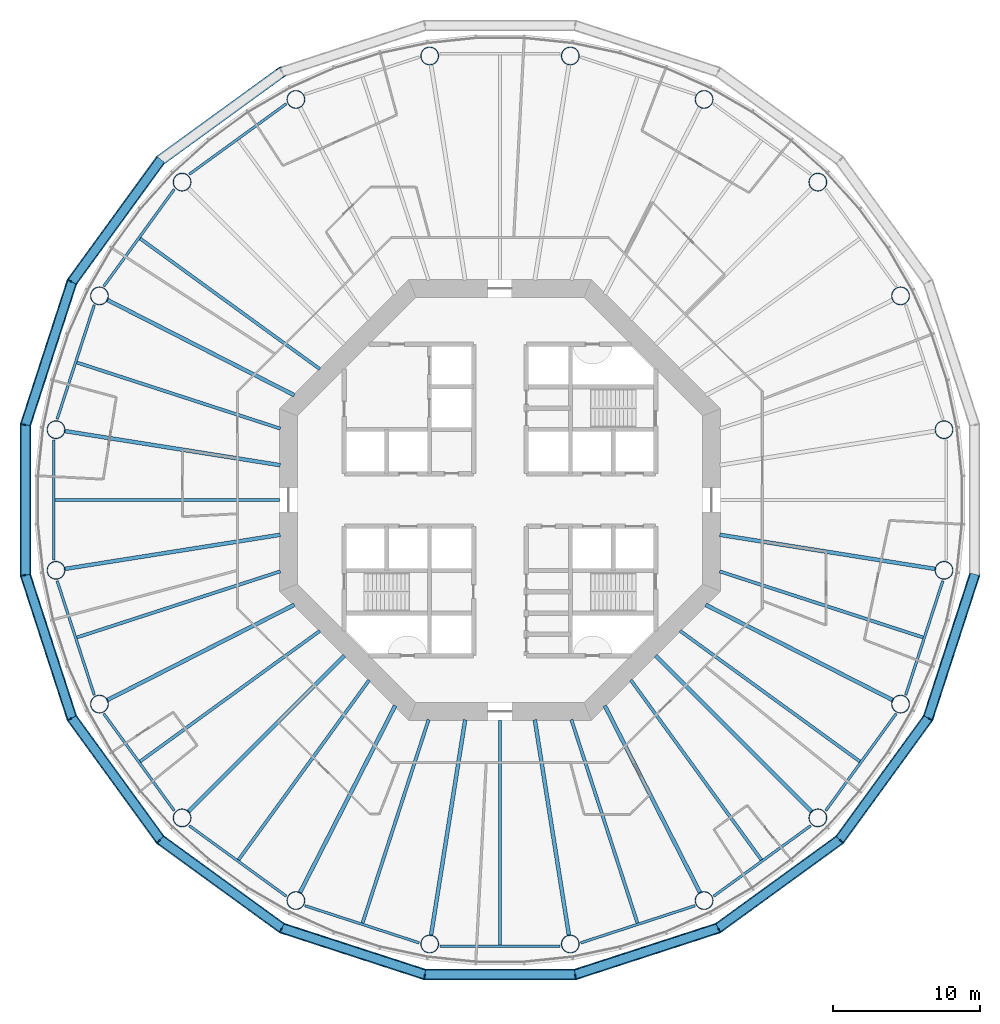
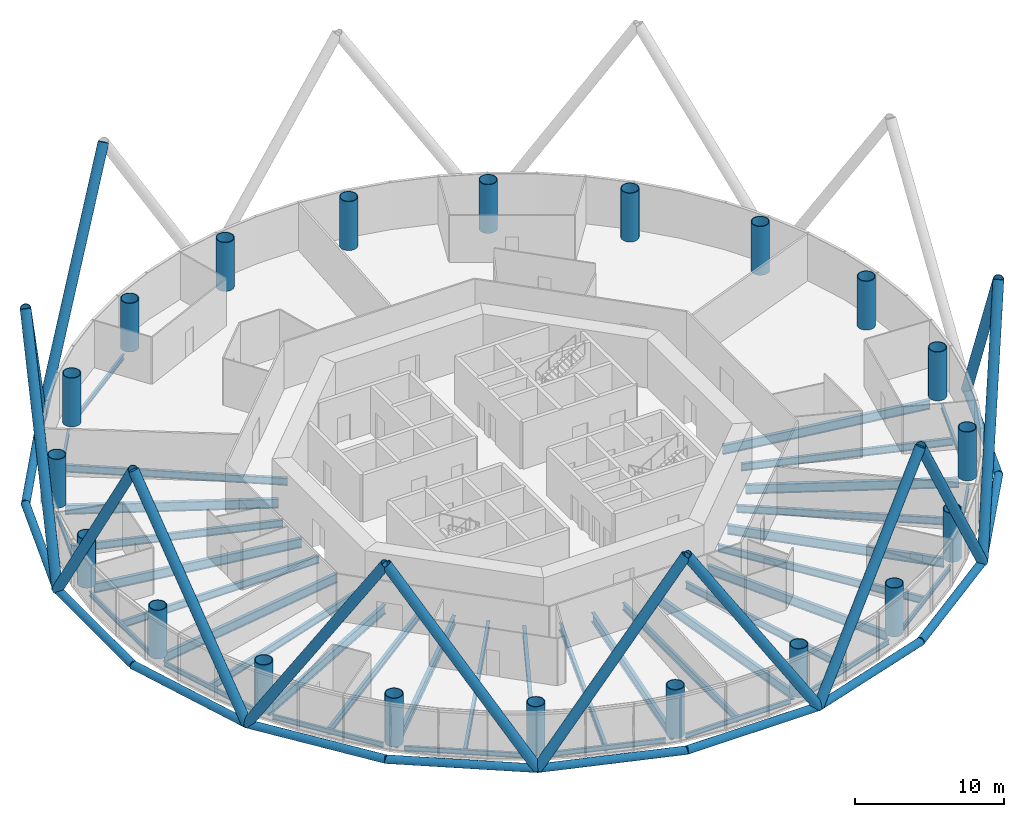
# One storey, part 1 of 14: 37 beams, 25 members, 20 columns.
"""IFC4 building model written with IfcOpenShell, lengths in metres."""

from ifc_helpers import new_model, si_unit, direction, frame, origin, origin_2d, place, context, subcontext, project, spatial, circle, hollow_circle, i_section, extrude, material, material_profile, profile_set, type_object, element, save


model = new_model("IFC4")

# Units and contexts
model_context = context("Model", 3, precision=1e-05, world=origin(), true_north=direction((0.0, 1.0)))
body_context = subcontext(model_context, "Body", "Model", "MODEL_VIEW")
ifc_project = project(units=[si_unit("LENGTHUNIT", "METRE"), si_unit("AREAUNIT", "SQUARE_METRE"), si_unit("VOLUMEUNIT", "CUBIC_METRE"), si_unit("PLANEANGLEUNIT", "RADIAN"), si_unit("MASSUNIT", "GRAM", prefix="KILO")], contexts=[model_context])

# Site, building, storey
site_placement = place(None, origin())
site = spatial("IfcSite", under=ifc_project, at=site_placement, CompositionType="ELEMENT")
building_placement = place(site_placement, origin())
building = spatial("IfcBuilding", under=site, at=building_placement, Name="Entoto Ring Tower", CompositionType="ELEMENT")
storey_placement = place(building_placement, frame((0.0, 0.0, 80.0)))
storey = spatial("IfcBuildingStorey", under=building, at=storey_placement, Name="L17", CompositionType="ELEMENT", Elevation=80.0)

# Columns
ifc_material_1 = material(Name="Steel S355", Category="steel")
ifc_material_profile_1 = material_profile(ifc_material_1, hollow_circle(Radius=0.625, WallThickness=0.054931640625, at=origin_2d()), Name="CHS 1250 x 55")
ifc_material_2 = material(Name="Concrete C60/75", Category="concrete")
ifc_material_profile_2 = material_profile(ifc_material_2, circle(Radius=0.570068359375, at=origin_2d()), Name="Concrete C60/75 infill")
ifc_profile_set_1 = profile_set([ifc_material_profile_1, ifc_material_profile_2], Name="Steel S355")
column_type = type_object("IfcColumnType", Name="Ring column 1250 x 55 concrete-filled tube", PredefinedType="COLUMN", material=ifc_profile_set_1)
for number, where, z_axis, x_axis, name in (
    (1, (120.22314453125, 84.786865234375, 0.0), (0.0, 0.0, 1.0), (1.0, 0.0, 0.0), "RC2 R01"),
    (2, (117.264892578125, 93.89208984375, 0.0), (0.0, 0.0, 1.0), (1.0, 0.0, 0.0), "RC2 R02"),
    (3, (111.637451171875, 101.637451171875, 0.0), (0.0, 0.0, 1.0), (1.0, 0.0, 0.0), "RC2 R03"),
    (4, (103.89208984375, 107.264892578125, 0.0), (0.0, 0.0, 1.0), (1.0, 0.0, 0.0), "RC2 R04"),
    (5, (94.786865234375, 110.22314453125, 0.0), (0.0, 0.0, 1.0), (1.0, 0.0, 0.0), "RC2 R05"),
    (6, (85.213134765625, 110.22314453125, 0.0), (0.0, 0.0, 1.0), (1.0, 0.0, 0.0), "RC2 R06"),
    (7, (76.10791015625, 107.264892578125, 0.0), (0.0, 0.0, 1.0), (1.0, 0.0, 0.0), "RC2 R07"),
    (8, (68.362548828125, 101.637451171875, 0.0), (0.0, 0.0, 1.0), (1.0, 0.0, 0.0), "RC2 R08"),
    (9, (62.735107421875, 93.89208984375, 0.0), (0.0, 0.0, 1.0), (1.0, 0.0, 0.0), "RC2 R09"),
    (10, (59.77685546875, 84.786865234375, 0.0), (0.0, 0.0, 1.0), (1.0, 0.0, 0.0), "RC2 R10"),
    (11, (59.77685546875, 75.213134765625, 0.0), (0.0, 0.0, 1.0), (1.0, 0.0, 0.0), "RC2 R11"),
    (12, (62.735107421875, 66.10791015625, 0.0), (0.0, 0.0, 1.0), (1.0, 0.0, 0.0), "RC2 R12"),
    (13, (68.362548828125, 58.362548828125, 0.0), (0.0, 0.0, 1.0), (1.0, 0.0, 0.0), "RC2 R13"),
    (14, (76.10791015625, 52.735107421875, 0.0), (0.0, 0.0, 1.0), (1.0, 0.0, 0.0), "RC2 R14"),
    (15, (85.213134765625, 49.77685546875, 0.0), (0.0, 0.0, 1.0), (1.0, 0.0, 0.0), "RC2 R15"),
    (16, (94.786865234375, 49.77685546875, 0.0), (0.0, 0.0, 1.0), (1.0, 0.0, 0.0), "RC2 R16"),
    (17, (103.89208984375, 52.735107421875, 0.0), (0.0, 0.0, 1.0), (1.0, 0.0, 0.0), "RC2 R17"),
    (18, (111.637451171875, 58.362548828125, 0.0), (0.0, 0.0, 1.0), (1.0, 0.0, 0.0), "RC2 R18"),
    (19, (117.264892578125, 66.10791015625, 0.0), (0.0, 0.0, 1.0), (1.0, 0.0, 0.0), "RC2 R19"),
    (20, (120.22314453125, 75.213134765625, 0.0), (0.0, 0.0, 1.0), (1.0, 0.0, 0.0), "RC2 R20"),
):
    element("IfcColumn", number, at=place(storey_placement, frame(where, z_axis=z_axis, x_axis=x_axis)), inside=storey, type_object=column_type, Name=name, PredefinedType="COLUMN", context=body_context, shape_type="SweptSolid", body=[
        extrude(hollow_circle(Radius=0.625, WallThickness=0.054931640625, at=origin_2d()), origin(), (0.0, 0.0, 1.0), 4.0),
    ])

# Members
ifc_material_3 = material(Name="Steel S355", Category="steel")
ifc_material_profile_3 = material_profile(ifc_material_3, hollow_circle(Radius=0.375, WallThickness=0.0380859375, at=origin_2d()), Name="CHS 750 x 38")
ifc_material_4 = material(Name="Concrete C60/75", Category="concrete")
ifc_material_profile_4 = material_profile(ifc_material_4, circle(Radius=0.3369140625, at=origin_2d()), Name="Concrete C60/75 infill")
ifc_profile_set_2 = profile_set([ifc_material_profile_3, ifc_material_profile_4], Name="Steel S355")
member_type_1 = type_object("IfcMemberType", Name="Diagrid diagonal 750 x 38 concrete-filled tube", PredefinedType="BRACE", material=ifc_profile_set_2)
for number, where, z_axis, x_axis, name in (
    (21, (66.877685546875, 103.122314453125, 0.0), (0.435822862586, 0.316653552924, 0.842489738731), (-0.587797047665, 0.809008424404, 0.0), "DG3A module 6 07"),
    (22, (66.877685546875, 103.122314453125, 0.0), (-0.316653552924, -0.435822862586, 0.842489738731), (0.809008424404, -0.587797047665, 0.0), "DG3A module 6 08"),
    (23, (57.70263671875, 85.115478515625, 0.0), (0.166465095802, 0.512340715739, 0.84249413225), (-0.95105896794, 0.309009448885, 0.0), "DG3A module 6 09"),
):
    element("IfcMember", number, at=place(storey_placement, frame(where, z_axis=z_axis, x_axis=x_axis)), inside=storey, type_object=member_type_1, Name=name, PredefinedType="BRACE", context=body_context, shape_type="SweptSolid", body=[
        extrude(hollow_circle(Radius=0.375, WallThickness=0.0380859375, at=origin_2d()), origin(), (0.0, 0.0, 1.0), 18.9912109375),
    ])
member_1_placement = place(storey_placement, frame((57.70263671875, 85.115478515625, 0.0), z_axis=(0.0, -0.538715853857, 0.84248752442), x_axis=(1.0, 0.0, 0.0)))
element("IfcMember", 24, at=member_1_placement, inside=storey, type_object=member_type_1, Name="DG3A module 6 10", PredefinedType="BRACE", context=body_context, shape_type="SweptSolid", body=[
    extrude(hollow_circle(Radius=0.375, WallThickness=0.0380859375, at=origin_2d()), origin(), (0.0, 0.0, 1.0), 18.991455078125),
])
for number, where, z_axis, x_axis, name in (
    (25, (60.864013671875, 65.154541015625, 0.0), (-0.166465095802, 0.512340715739, 0.84249413225), (-0.95105896794, -0.309009448885, 0.0), "DG3A module 6 11"),
    (26, (60.864013671875, 65.154541015625, 0.0), (0.316653552924, -0.435822862586, 0.842489738731), (0.809008424404, 0.587797047665, 0.0), "DG3A module 6 12"),
    (27, (75.154541015625, 50.864013671875, 0.0), (-0.435822862586, 0.316653552924, 0.842489738731), (-0.587797047665, -0.809008424404, 0.0), "DG3A module 6 13"),
    (28, (75.154541015625, 50.864013671875, 0.0), (0.512340715739, -0.166465095802, 0.84249413225), (0.309009448885, 0.95105896794, 0.0), "DG3A module 6 14"),
):
    element("IfcMember", number, at=place(storey_placement, frame(where, z_axis=z_axis, x_axis=x_axis)), inside=storey, type_object=member_type_1, Name=name, PredefinedType="BRACE", context=body_context, shape_type="SweptSolid", body=[
        extrude(hollow_circle(Radius=0.375, WallThickness=0.0380859375, at=origin_2d()), origin(), (0.0, 0.0, 1.0), 18.9912109375),
    ])
member_2_placement = place(storey_placement, frame((95.115478515625, 47.70263671875, 0.0), z_axis=(-0.538715853857, 0.0, 0.84248752442), x_axis=(0.0, -1.0, 0.0)))
element("IfcMember", 29, at=member_2_placement, inside=storey, type_object=member_type_1, Name="DG3A module 6 15", PredefinedType="BRACE", context=body_context, shape_type="SweptSolid", body=[
    extrude(hollow_circle(Radius=0.375, WallThickness=0.0380859375, at=origin_2d()), origin(), (0.0, 0.0, 1.0), 18.991455078125),
])
for number, where, z_axis, x_axis, name in (
    (30, (95.115478515625, 47.70263671875, 0.0), (0.512340715739, 0.166465095802, 0.84249413225), (-0.309009448885, 0.95105896794, 0.0), "DG3A module 6 16"),
    (31, (113.122314453125, 56.877685546875, 0.0), (-0.435822862586, -0.316653552924, 0.842489738731), (0.587797047665, -0.809008424404, 0.0), "DG3A module 6 17"),
    (32, (113.122314453125, 56.877685546875, 0.0), (0.316653552924, 0.435822862586, 0.842489738731), (-0.809008424404, 0.587797047665, 0.0), "DG3A module 6 18"),
    (33, (122.29736328125, 74.884521484375, 0.0), (-0.166465095802, -0.512340715739, 0.84249413225), (0.95105896794, -0.309009448885, 0.0), "DG3A module 6 19"),
):
    element("IfcMember", number, at=place(storey_placement, frame(where, z_axis=z_axis, x_axis=x_axis)), inside=storey, type_object=member_type_1, Name=name, PredefinedType="BRACE", context=body_context, shape_type="SweptSolid", body=[
        extrude(hollow_circle(Radius=0.375, WallThickness=0.0380859375, at=origin_2d()), origin(), (0.0, 0.0, 1.0), 18.9912109375),
    ])
ifc_material_5 = material(Name="Steel S355", Category="steel")
ifc_material_profile_5 = material_profile(ifc_material_5, hollow_circle(Radius=0.300048828125, WallThickness=0.030029296875, at=origin_2d()), Name="CHS 600 x 30")
ifc_material_6 = material(Name="Concrete C60/75", Category="concrete")
ifc_material_profile_6 = material_profile(ifc_material_6, circle(Radius=0.27001953125, at=origin_2d()), Name="Concrete C60/75 infill")
ifc_profile_set_3 = profile_set([ifc_material_profile_5, ifc_material_profile_6], Name="Steel S355")
member_type_2 = type_object("IfcMemberType", Name="Diagrid ring beam 600 x 30", PredefinedType="CHORD", material=ifc_profile_set_3)
member_3_placement = place(storey_placement, frame((66.917236328125, 103.177001953125, 0.0), z_axis=(-0.587773909122, -0.809025235549, 0.0), x_axis=(0.809025235549, -0.587773909122, 0.0)))
element("IfcMember", 34, at=member_3_placement, inside=storey, type_object=member_type_2, Name="DR1 ring 5 07", PredefinedType="CHORD", context=body_context, shape_type="SweptSolid", body=[
    extrude(hollow_circle(Radius=0.300048828125, WallThickness=0.030029296875, at=origin_2d()), origin(), (0.0, 0.0, 1.0), 10.365966796875),
])
for number, where, z_axis, x_axis, name in (
    (35, (60.885009765625, 94.90966796875, 0.0), (-0.309032815696, -0.951051375491, 0.0), (0.951051375491, -0.309032815696, 0.0), "DR1 ring 5 08"),
    (36, (57.70263671875, 85.182861328125, 0.0), (0.0, -1.0, 0.0), (1.0, 0.0, 0.0), "DR1 ring 5 09"),
    (37, (57.681640625, 74.94873046875, 0.0), (0.309032815696, -0.951051375491, 0.0), (0.951051375491, 0.309032815696, 0.0), "DR1 ring 5 10"),
):
    element("IfcMember", number, at=place(storey_placement, frame(where, z_axis=z_axis, x_axis=x_axis)), inside=storey, type_object=member_type_2, Name=name, PredefinedType="CHORD", context=body_context, shape_type="SweptSolid", body=[
        extrude(hollow_circle(Radius=0.300048828125, WallThickness=0.030029296875, at=origin_2d()), origin(), (0.0, 0.0, 1.0), 10.36572265625),
    ])
for number, where, z_axis, x_axis, name in (
    (38, (60.824462890625, 65.209228515625, 0.0), (0.587773909122, -0.809025235549, 0.0), (0.809025235549, 0.587773909122, 0.0), "DR1 ring 5 11"),
    (39, (66.822998046875, 56.917236328125, 0.0), (0.809025235549, -0.587773909122, 0.0), (0.587773909122, 0.809025235549, 0.0), "DR1 ring 5 12"),
):
    element("IfcMember", number, at=place(storey_placement, frame(where, z_axis=z_axis, x_axis=x_axis)), inside=storey, type_object=member_type_2, Name=name, PredefinedType="CHORD", context=body_context, shape_type="SweptSolid", body=[
        extrude(hollow_circle(Radius=0.300048828125, WallThickness=0.030029296875, at=origin_2d()), origin(), (0.0, 0.0, 1.0), 10.365966796875),
    ])
for number, where, z_axis, x_axis, name in (
    (40, (75.09033203125, 50.885009765625, 0.0), (0.951051375491, -0.309032815696, 0.0), (0.309032815696, 0.951051375491, 0.0), "DR1 ring 5 13"),
    (41, (84.817138671875, 47.70263671875, 0.0), (1.0, 0.0, 0.0), (0.0, 1.0, 0.0), "DR1 ring 5 14"),
    (42, (95.05126953125, 47.681640625, 0.0), (0.951051375491, 0.309032815696, 0.0), (-0.309032815696, 0.951051375491, 0.0), "DR1 ring 5 15"),
):
    element("IfcMember", number, at=place(storey_placement, frame(where, z_axis=z_axis, x_axis=x_axis)), inside=storey, type_object=member_type_2, Name=name, PredefinedType="CHORD", context=body_context, shape_type="SweptSolid", body=[
        extrude(hollow_circle(Radius=0.300048828125, WallThickness=0.030029296875, at=origin_2d()), origin(), (0.0, 0.0, 1.0), 10.36572265625),
    ])
for number, where, z_axis, x_axis, name in (
    (43, (104.790771484375, 50.824462890625, 0.0), (0.809025235549, 0.587773909122, 0.0), (-0.587773909122, 0.809025235549, 0.0), "DR1 ring 5 16"),
    (44, (113.082763671875, 56.822998046875, 0.0), (0.587773909122, 0.809025235549, 0.0), (-0.809025235549, 0.587773909122, 0.0), "DR1 ring 5 17"),
):
    element("IfcMember", number, at=place(storey_placement, frame(where, z_axis=z_axis, x_axis=x_axis)), inside=storey, type_object=member_type_2, Name=name, PredefinedType="CHORD", context=body_context, shape_type="SweptSolid", body=[
        extrude(hollow_circle(Radius=0.300048828125, WallThickness=0.030029296875, at=origin_2d()), origin(), (0.0, 0.0, 1.0), 10.365966796875),
    ])
member_4_placement = place(storey_placement, frame((119.114990234375, 65.09033203125, 0.0), z_axis=(0.309032815696, 0.951051375491, 0.0), x_axis=(-0.951051375491, 0.309032815696, 0.0)))
element("IfcMember", 45, at=member_4_placement, inside=storey, type_object=member_type_2, Name="DR1 ring 5 18", PredefinedType="CHORD", context=body_context, shape_type="SweptSolid", body=[
    extrude(hollow_circle(Radius=0.300048828125, WallThickness=0.030029296875, at=origin_2d()), origin(), (0.0, 0.0, 1.0), 10.36572265625),
])

# Beams
ifc_material_7 = material(Name="Steel S355", Category="steel")
ifc_material_profile_7 = material_profile(ifc_material_7, i_section(OverallWidth=0.179931640625, OverallDepth=0.39990234375, WebThickness=0.008544921875, FlangeThickness=0.013427734375, FilletRadius=0.02099609375, at=origin_2d()), Name="IPE 400")
ifc_profile_set_4 = profile_set([ifc_material_profile_7], Name="Steel S355")
beam_type_1 = type_object("IfcBeamType", Name="Edge beam IPE 400", PredefinedType="SPANDREL", material=ifc_profile_set_4)
for number, where, z_axis, x_axis, name in (
    (46, (75.455322265625, 106.96875, -0.35009765625), (-0.809012530421, -0.58779139635, 0.0), (0.58779139635, -0.809012530421, 0.0), "Edge beam L17 07"),
    (47, (67.83349609375, 101.154296875, -0.35009765625), (-0.58779139635, -0.809012530421, 0.0), (0.809012530421, -0.58779139635, 0.0), "Edge beam L17 08"),
):
    element("IfcBeam", number, at=place(storey_placement, frame(where, z_axis=z_axis, x_axis=x_axis)), inside=storey, type_object=beam_type_1, Name=name, PredefinedType="SPANDREL", context=body_context, shape_type="SweptSolid", body=[
        extrude(i_section(OverallWidth=0.179931640625, OverallDepth=0.39990234375, WebThickness=0.008544921875, FlangeThickness=0.013427734375, FilletRadius=0.02099609375, at=origin_2d()), origin(), (0.0, 0.0, 1.0), 8.169921875),
    ])
beam_1_placement = place(storey_placement, frame((62.38134765625, 93.26904296875, -0.35009765625), z_axis=(-0.309011070448, -0.951058441075, 0.0), x_axis=(0.951058441075, -0.309011070448, 0.0)))
element("IfcBeam", 48, at=beam_1_placement, inside=storey, type_object=beam_type_1, Name="Edge beam L17 09", PredefinedType="SPANDREL", context=body_context, shape_type="SweptSolid", body=[
    extrude(i_section(OverallWidth=0.179931640625, OverallDepth=0.39990234375, WebThickness=0.008544921875, FlangeThickness=0.013427734375, FilletRadius=0.02099609375, at=origin_2d()), origin(), (0.0, 0.0, 1.0), 8.170166015625),
])
beam_2_placement = place(storey_placement, frame((59.6328125, 84.0849609375, -0.35009765625), z_axis=(0.0, -1.0, 0.0), x_axis=(1.0, 0.0, 0.0)))
element("IfcBeam", 49, at=beam_2_placement, inside=storey, type_object=beam_type_1, Name="Edge beam L17 10", PredefinedType="SPANDREL", context=body_context, shape_type="SweptSolid", body=[
    extrude(i_section(OverallWidth=0.179931640625, OverallDepth=0.39990234375, WebThickness=0.008544921875, FlangeThickness=0.013427734375, FilletRadius=0.02099609375, at=origin_2d()), origin(), (0.0, 0.0, 1.0), 8.169921875),
])
beam_3_placement = place(storey_placement, frame((59.856689453125, 74.501220703125, -0.35009765625), z_axis=(0.309011070448, -0.951058441075, 0.0), x_axis=(0.951058441075, 0.309011070448, 0.0)))
element("IfcBeam", 50, at=beam_3_placement, inside=storey, type_object=beam_type_1, Name="Edge beam L17 11", PredefinedType="SPANDREL", context=body_context, shape_type="SweptSolid", body=[
    extrude(i_section(OverallWidth=0.179931640625, OverallDepth=0.39990234375, WebThickness=0.008544921875, FlangeThickness=0.013427734375, FilletRadius=0.02099609375, at=origin_2d()), origin(), (0.0, 0.0, 1.0), 8.170166015625),
])
for number, where, z_axis, x_axis, name in (
    (51, (63.03125, 65.455322265625, -0.35009765625), (0.58779139635, -0.809012530421, 0.0), (0.809012530421, 0.58779139635, 0.0), "Edge beam L17 12"),
    (52, (68.845703125, 57.83349609375, -0.35009765625), (0.809012530421, -0.58779139635, 0.0), (0.58779139635, 0.809012530421, 0.0), "Edge beam L17 13"),
):
    element("IfcBeam", number, at=place(storey_placement, frame(where, z_axis=z_axis, x_axis=x_axis)), inside=storey, type_object=beam_type_1, Name=name, PredefinedType="SPANDREL", context=body_context, shape_type="SweptSolid", body=[
        extrude(i_section(OverallWidth=0.179931640625, OverallDepth=0.39990234375, WebThickness=0.008544921875, FlangeThickness=0.013427734375, FilletRadius=0.02099609375, at=origin_2d()), origin(), (0.0, 0.0, 1.0), 8.169921875),
    ])
beam_4_placement = place(storey_placement, frame((76.73095703125, 52.38134765625, -0.35009765625), z_axis=(0.951058441075, -0.309011070448, 0.0), x_axis=(0.309011070448, 0.951058441075, 0.0)))
element("IfcBeam", 53, at=beam_4_placement, inside=storey, type_object=beam_type_1, Name="Edge beam L17 14", PredefinedType="SPANDREL", context=body_context, shape_type="SweptSolid", body=[
    extrude(i_section(OverallWidth=0.179931640625, OverallDepth=0.39990234375, WebThickness=0.008544921875, FlangeThickness=0.013427734375, FilletRadius=0.02099609375, at=origin_2d()), origin(), (0.0, 0.0, 1.0), 8.170166015625),
])
beam_5_placement = place(storey_placement, frame((85.9150390625, 49.6328125, -0.35009765625), z_axis=(1.0, 0.0, 0.0), x_axis=(0.0, 1.0, 0.0)))
element("IfcBeam", 54, at=beam_5_placement, inside=storey, type_object=beam_type_1, Name="Edge beam L17 15", PredefinedType="SPANDREL", context=body_context, shape_type="SweptSolid", body=[
    extrude(i_section(OverallWidth=0.179931640625, OverallDepth=0.39990234375, WebThickness=0.008544921875, FlangeThickness=0.013427734375, FilletRadius=0.02099609375, at=origin_2d()), origin(), (0.0, 0.0, 1.0), 8.169921875),
])
beam_6_placement = place(storey_placement, frame((95.498779296875, 49.856689453125, -0.35009765625), z_axis=(0.951058441075, 0.309011070448, 0.0), x_axis=(-0.309011070448, 0.951058441075, 0.0)))
element("IfcBeam", 55, at=beam_6_placement, inside=storey, type_object=beam_type_1, Name="Edge beam L17 16", PredefinedType="SPANDREL", context=body_context, shape_type="SweptSolid", body=[
    extrude(i_section(OverallWidth=0.179931640625, OverallDepth=0.39990234375, WebThickness=0.008544921875, FlangeThickness=0.013427734375, FilletRadius=0.02099609375, at=origin_2d()), origin(), (0.0, 0.0, 1.0), 8.170166015625),
])
for number, where, z_axis, x_axis, name in (
    (56, (104.544677734375, 53.03125, -0.35009765625), (0.809012530421, 0.58779139635, 0.0), (-0.58779139635, 0.809012530421, 0.0), "Edge beam L17 17"),
    (57, (112.16650390625, 58.845703125, -0.35009765625), (0.58779139635, 0.809012530421, 0.0), (-0.809012530421, 0.58779139635, 0.0), "Edge beam L17 18"),
):
    element("IfcBeam", number, at=place(storey_placement, frame(where, z_axis=z_axis, x_axis=x_axis)), inside=storey, type_object=beam_type_1, Name=name, PredefinedType="SPANDREL", context=body_context, shape_type="SweptSolid", body=[
        extrude(i_section(OverallWidth=0.179931640625, OverallDepth=0.39990234375, WebThickness=0.008544921875, FlangeThickness=0.013427734375, FilletRadius=0.02099609375, at=origin_2d()), origin(), (0.0, 0.0, 1.0), 8.169921875),
    ])
beam_7_placement = place(storey_placement, frame((117.61865234375, 66.73095703125, -0.35009765625), z_axis=(0.309011070448, 0.951058441075, 0.0), x_axis=(-0.951058441075, 0.309011070448, 0.0)))
element("IfcBeam", 58, at=beam_7_placement, inside=storey, type_object=beam_type_1, Name="Edge beam L17 19", PredefinedType="SPANDREL", context=body_context, shape_type="SweptSolid", body=[
    extrude(i_section(OverallWidth=0.179931640625, OverallDepth=0.39990234375, WebThickness=0.008544921875, FlangeThickness=0.013427734375, FilletRadius=0.02099609375, at=origin_2d()), origin(), (0.0, 0.0, 1.0), 8.170166015625),
])
ifc_material_8 = material(Name="Steel S355", Category="steel")
ifc_material_profile_8 = material_profile(ifc_material_8, i_section(OverallWidth=0.262939453125, OverallDepth=0.7529296875, WebThickness=0.011474609375, FlangeThickness=0.01708984375, FilletRadius=0.01708984375, at=origin_2d()), Name="IPE 750 x 137")
ifc_profile_set_5 = profile_set([ifc_material_profile_8], Name="Steel S355")
beam_type_2 = type_object("IfcBeamType", Name="Primary floor beam IPE 750 x 137", PredefinedType="BEAM", material=ifc_profile_set_5)
beam_8_placement = place(storey_placement, frame((76.0029296875, 87.1318359375, -0.526611328125), z_axis=(-0.891004260202, 0.453994943036, 0.0), x_axis=(-0.453994943036, -0.891004260202, 0.0)))
element("IfcBeam", 59, at=beam_8_placement, inside=storey, type_object=beam_type_2, Name="Primary L17 R09", PredefinedType="BEAM", context=body_context, shape_type="SweptSolid", body=[
    extrude(i_section(OverallWidth=0.262939453125, OverallDepth=0.7529296875, WebThickness=0.011474609375, FlangeThickness=0.01708984375, FilletRadius=0.01708984375, at=origin_2d()), origin(), (0.0, 0.0, 1.0), 14.330322265625),
])
for number, where, z_axis, x_axis, name in (
    (60, (75.040283203125, 82.369384765625, -0.526611328125), (-0.987688288162, 0.156434796089, 0.0), (-0.156434796089, -0.987688288162, 0.0), "Primary L17 R10"),
    (61, (75.040283203125, 77.630615234375, -0.526611328125), (-0.987688288162, -0.156434796089, 0.0), (0.156434796089, -0.987688288162, 0.0), "Primary L17 R11"),
):
    element("IfcBeam", number, at=place(storey_placement, frame(where, z_axis=z_axis, x_axis=x_axis)), inside=storey, type_object=beam_type_2, Name=name, PredefinedType="BEAM", context=body_context, shape_type="SweptSolid", body=[
        extrude(i_section(OverallWidth=0.262939453125, OverallDepth=0.7529296875, WebThickness=0.011474609375, FlangeThickness=0.01708984375, FilletRadius=0.01708984375, at=origin_2d()), origin(), (0.0, 0.0, 1.0), 14.893310546875),
    ])
beam_9_placement = place(storey_placement, frame((76.0029296875, 72.8681640625, -0.526611328125), z_axis=(-0.891004260202, -0.453994943036, 0.0), x_axis=(0.453994943036, -0.891004260202, 0.0)))
element("IfcBeam", 62, at=beam_9_placement, inside=storey, type_object=beam_type_2, Name="Primary L17 R12", PredefinedType="BEAM", context=body_context, shape_type="SweptSolid", body=[
    extrude(i_section(OverallWidth=0.262939453125, OverallDepth=0.7529296875, WebThickness=0.011474609375, FlangeThickness=0.01708984375, FilletRadius=0.01708984375, at=origin_2d()), origin(), (0.0, 0.0, 1.0), 14.330322265625),
])
beam_10_placement = place(storey_placement, frame((79.407470703125, 69.407470703125, -0.526611328125), z_axis=(-0.707106781187, -0.707106781187, 0.0), x_axis=(0.707106781187, -0.707106781187, 0.0)))
element("IfcBeam", 63, at=beam_10_placement, inside=storey, type_object=beam_type_2, Name="Primary L17 R13", PredefinedType="BEAM", context=body_context, shape_type="SweptSolid", body=[
    extrude(i_section(OverallWidth=0.262939453125, OverallDepth=0.7529296875, WebThickness=0.011474609375, FlangeThickness=0.01708984375, FilletRadius=0.01708984375, at=origin_2d()), origin(), (0.0, 0.0, 1.0), 15.0595703125),
])
beam_11_placement = place(storey_placement, frame((82.8681640625, 66.0029296875, -0.526611328125), z_axis=(-0.453994943036, -0.891004260202, 0.0), x_axis=(0.891004260202, -0.453994943036, 0.0)))
element("IfcBeam", 64, at=beam_11_placement, inside=storey, type_object=beam_type_2, Name="Primary L17 R14", PredefinedType="BEAM", context=body_context, shape_type="SweptSolid", body=[
    extrude(i_section(OverallWidth=0.262939453125, OverallDepth=0.7529296875, WebThickness=0.011474609375, FlangeThickness=0.01708984375, FilletRadius=0.01708984375, at=origin_2d()), origin(), (0.0, 0.0, 1.0), 14.330322265625),
])
for number, where, z_axis, x_axis, name in (
    (65, (87.630615234375, 65.040283203125, -0.526611328125), (-0.156434796089, -0.987688288162, 0.0), (0.987688288162, -0.156434796089, 0.0), "Primary L17 R15"),
    (66, (92.369384765625, 65.040283203125, -0.526611328125), (0.156434796089, -0.987688288162, 0.0), (0.987688288162, 0.156434796089, 0.0), "Primary L17 R16"),
):
    element("IfcBeam", number, at=place(storey_placement, frame(where, z_axis=z_axis, x_axis=x_axis)), inside=storey, type_object=beam_type_2, Name=name, PredefinedType="BEAM", context=body_context, shape_type="SweptSolid", body=[
        extrude(i_section(OverallWidth=0.262939453125, OverallDepth=0.7529296875, WebThickness=0.011474609375, FlangeThickness=0.01708984375, FilletRadius=0.01708984375, at=origin_2d()), origin(), (0.0, 0.0, 1.0), 14.893310546875),
    ])
beam_12_placement = place(storey_placement, frame((97.1318359375, 66.0029296875, -0.526611328125), z_axis=(0.453994943036, -0.891004260202, 0.0), x_axis=(0.891004260202, 0.453994943036, 0.0)))
element("IfcBeam", 67, at=beam_12_placement, inside=storey, type_object=beam_type_2, Name="Primary L17 R17", PredefinedType="BEAM", context=body_context, shape_type="SweptSolid", body=[
    extrude(i_section(OverallWidth=0.262939453125, OverallDepth=0.7529296875, WebThickness=0.011474609375, FlangeThickness=0.01708984375, FilletRadius=0.01708984375, at=origin_2d()), origin(), (0.0, 0.0, 1.0), 14.330322265625),
])
beam_13_placement = place(storey_placement, frame((100.592529296875, 69.407470703125, -0.526611328125), z_axis=(0.707106781187, -0.707106781187, 0.0), x_axis=(0.707106781187, 0.707106781187, 0.0)))
element("IfcBeam", 68, at=beam_13_placement, inside=storey, type_object=beam_type_2, Name="Primary L17 R18", PredefinedType="BEAM", context=body_context, shape_type="SweptSolid", body=[
    extrude(i_section(OverallWidth=0.262939453125, OverallDepth=0.7529296875, WebThickness=0.011474609375, FlangeThickness=0.01708984375, FilletRadius=0.01708984375, at=origin_2d()), origin(), (0.0, 0.0, 1.0), 15.0595703125),
])
beam_14_placement = place(storey_placement, frame((103.9970703125, 72.8681640625, -0.526611328125), z_axis=(0.891004260202, -0.453994943036, 0.0), x_axis=(0.453994943036, 0.891004260202, 0.0)))
element("IfcBeam", 69, at=beam_14_placement, inside=storey, type_object=beam_type_2, Name="Primary L17 R19", PredefinedType="BEAM", context=body_context, shape_type="SweptSolid", body=[
    extrude(i_section(OverallWidth=0.262939453125, OverallDepth=0.7529296875, WebThickness=0.011474609375, FlangeThickness=0.01708984375, FilletRadius=0.01708984375, at=origin_2d()), origin(), (0.0, 0.0, 1.0), 14.330322265625),
])
beam_15_placement = place(storey_placement, frame((104.959716796875, 77.630615234375, -0.526611328125), z_axis=(0.987688288162, -0.156434796089, 0.0), x_axis=(0.156434796089, 0.987688288162, 0.0)))
element("IfcBeam", 70, at=beam_15_placement, inside=storey, type_object=beam_type_2, Name="Primary L17 R20", PredefinedType="BEAM", context=body_context, shape_type="SweptSolid", body=[
    extrude(i_section(OverallWidth=0.262939453125, OverallDepth=0.7529296875, WebThickness=0.011474609375, FlangeThickness=0.01708984375, FilletRadius=0.01708984375, at=origin_2d()), origin(), (0.0, 0.0, 1.0), 14.893310546875),
])
ifc_material_9 = material(Name="Steel S355", Category="steel")
ifc_material_profile_9 = material_profile(ifc_material_9, i_section(OverallWidth=0.219970703125, OverallDepth=0.60009765625, WebThickness=0.011962890625, FlangeThickness=0.01904296875, FilletRadius=0.02392578125, at=origin_2d()), Name="IPE 600")
ifc_profile_set_6 = profile_set([ifc_material_profile_9], Name="Steel S355")
beam_type_3 = type_object("IfcBeamType", Name="Secondary floor beam IPE 600", PredefinedType="JOIST", material=ifc_profile_set_6)
beam_16_placement = place(storey_placement, frame((77.74365234375, 88.90478515625, -0.449951171875), z_axis=(-0.809015846179, 0.587786832645, 0.0), x_axis=(-0.587786832645, -0.809015846179, 0.0)))
element("IfcBeam", 71, at=beam_16_placement, inside=storey, type_object=beam_type_3, Name="Secondary beam L17 08", PredefinedType="JOIST", context=body_context, shape_type="SweptSolid", body=[
    extrude(i_section(OverallWidth=0.219970703125, OverallDepth=0.60009765625, WebThickness=0.011962890625, FlangeThickness=0.01904296875, FilletRadius=0.02392578125, at=origin_2d()), origin(), (0.0, 0.0, 1.0), 15.127685546875),
])
beam_17_placement = place(storey_placement, frame((75.052978515625, 84.856689453125, -0.449951171875), z_axis=(-0.951058585524, 0.30901062587, 0.0), x_axis=(-0.30901062587, -0.951058585524, 0.0)))
element("IfcBeam", 72, at=beam_17_placement, inside=storey, type_object=beam_type_3, Name="Secondary beam L17 09", PredefinedType="JOIST", context=body_context, shape_type="SweptSolid", body=[
    extrude(i_section(OverallWidth=0.219970703125, OverallDepth=0.60009765625, WebThickness=0.011962890625, FlangeThickness=0.01904296875, FilletRadius=0.02392578125, at=origin_2d()), origin(), (0.0, 0.0, 1.0), 14.56103515625),
])
beam_18_placement = place(storey_placement, frame((75.02001953125, 80.0, -0.449951171875), z_axis=(-1.0, 0.0, 0.0), x_axis=(0.0, -1.0, 0.0)))
element("IfcBeam", 73, at=beam_18_placement, inside=storey, type_object=beam_type_3, Name="Secondary beam L17 10", PredefinedType="JOIST", context=body_context, shape_type="SweptSolid", body=[
    extrude(i_section(OverallWidth=0.219970703125, OverallDepth=0.60009765625, WebThickness=0.011962890625, FlangeThickness=0.01904296875, FilletRadius=0.02392578125, at=origin_2d()), origin(), (0.0, 0.0, 1.0), 15.29736328125),
])
beam_19_placement = place(storey_placement, frame((75.052978515625, 75.143310546875, -0.449951171875), z_axis=(-0.951058585524, -0.30901062587, 0.0), x_axis=(0.30901062587, -0.951058585524, 0.0)))
element("IfcBeam", 74, at=beam_19_placement, inside=storey, type_object=beam_type_3, Name="Secondary beam L17 11", PredefinedType="JOIST", context=body_context, shape_type="SweptSolid", body=[
    extrude(i_section(OverallWidth=0.219970703125, OverallDepth=0.60009765625, WebThickness=0.011962890625, FlangeThickness=0.01904296875, FilletRadius=0.02392578125, at=origin_2d()), origin(), (0.0, 0.0, 1.0), 14.56103515625),
])
for number, where, z_axis, x_axis, name in (
    (75, (77.74365234375, 71.09521484375, -0.449951171875), (-0.809015846179, -0.587786832645, 0.0), (0.587786832645, -0.809015846179, 0.0), "Secondary beam L17 12"),
    (76, (81.09521484375, 67.74365234375, -0.449951171875), (-0.587786832645, -0.809015846179, 0.0), (0.809015846179, -0.587786832645, 0.0), "Secondary beam L17 13"),
):
    element("IfcBeam", number, at=place(storey_placement, frame(where, z_axis=z_axis, x_axis=x_axis)), inside=storey, type_object=beam_type_3, Name=name, PredefinedType="JOIST", context=body_context, shape_type="SweptSolid", body=[
        extrude(i_section(OverallWidth=0.219970703125, OverallDepth=0.60009765625, WebThickness=0.011962890625, FlangeThickness=0.01904296875, FilletRadius=0.02392578125, at=origin_2d()), origin(), (0.0, 0.0, 1.0), 15.127685546875),
    ])
beam_20_placement = place(storey_placement, frame((85.143310546875, 65.052978515625, -0.449951171875), z_axis=(-0.30901062587, -0.951058585524, 0.0), x_axis=(0.951058585524, -0.30901062587, 0.0)))
element("IfcBeam", 77, at=beam_20_placement, inside=storey, type_object=beam_type_3, Name="Secondary beam L17 14", PredefinedType="JOIST", context=body_context, shape_type="SweptSolid", body=[
    extrude(i_section(OverallWidth=0.219970703125, OverallDepth=0.60009765625, WebThickness=0.011962890625, FlangeThickness=0.01904296875, FilletRadius=0.02392578125, at=origin_2d()), origin(), (0.0, 0.0, 1.0), 14.56103515625),
])
beam_21_placement = place(storey_placement, frame((90.0, 65.02001953125, -0.449951171875), z_axis=(0.0, -1.0, 0.0), x_axis=(1.0, 0.0, 0.0)))
element("IfcBeam", 78, at=beam_21_placement, inside=storey, type_object=beam_type_3, Name="Secondary beam L17 15", PredefinedType="JOIST", context=body_context, shape_type="SweptSolid", body=[
    extrude(i_section(OverallWidth=0.219970703125, OverallDepth=0.60009765625, WebThickness=0.011962890625, FlangeThickness=0.01904296875, FilletRadius=0.02392578125, at=origin_2d()), origin(), (0.0, 0.0, 1.0), 15.29736328125),
])
beam_22_placement = place(storey_placement, frame((94.856689453125, 65.052978515625, -0.449951171875), z_axis=(0.30901062587, -0.951058585524, 0.0), x_axis=(0.951058585524, 0.30901062587, 0.0)))
element("IfcBeam", 79, at=beam_22_placement, inside=storey, type_object=beam_type_3, Name="Secondary beam L17 16", PredefinedType="JOIST", context=body_context, shape_type="SweptSolid", body=[
    extrude(i_section(OverallWidth=0.219970703125, OverallDepth=0.60009765625, WebThickness=0.011962890625, FlangeThickness=0.01904296875, FilletRadius=0.02392578125, at=origin_2d()), origin(), (0.0, 0.0, 1.0), 14.56103515625),
])
for number, where, z_axis, x_axis, name in (
    (80, (98.90478515625, 67.74365234375, -0.449951171875), (0.587786832645, -0.809015846179, 0.0), (0.809015846179, 0.587786832645, 0.0), "Secondary beam L17 17"),
    (81, (102.25634765625, 71.09521484375, -0.449951171875), (0.809015846179, -0.587786832645, 0.0), (0.587786832645, 0.809015846179, 0.0), "Secondary beam L17 18"),
):
    element("IfcBeam", number, at=place(storey_placement, frame(where, z_axis=z_axis, x_axis=x_axis)), inside=storey, type_object=beam_type_3, Name=name, PredefinedType="JOIST", context=body_context, shape_type="SweptSolid", body=[
        extrude(i_section(OverallWidth=0.219970703125, OverallDepth=0.60009765625, WebThickness=0.011962890625, FlangeThickness=0.01904296875, FilletRadius=0.02392578125, at=origin_2d()), origin(), (0.0, 0.0, 1.0), 15.127685546875),
    ])
beam_23_placement = place(storey_placement, frame((104.947021484375, 75.143310546875, -0.449951171875), z_axis=(0.951058585524, -0.30901062587, 0.0), x_axis=(0.30901062587, 0.951058585524, 0.0)))
element("IfcBeam", 82, at=beam_23_placement, inside=storey, type_object=beam_type_3, Name="Secondary beam L17 19", PredefinedType="JOIST", context=body_context, shape_type="SweptSolid", body=[
    extrude(i_section(OverallWidth=0.219970703125, OverallDepth=0.60009765625, WebThickness=0.011962890625, FlangeThickness=0.01904296875, FilletRadius=0.02392578125, at=origin_2d()), origin(), (0.0, 0.0, 1.0), 14.56103515625),
])

save(model, "model.ifc")
